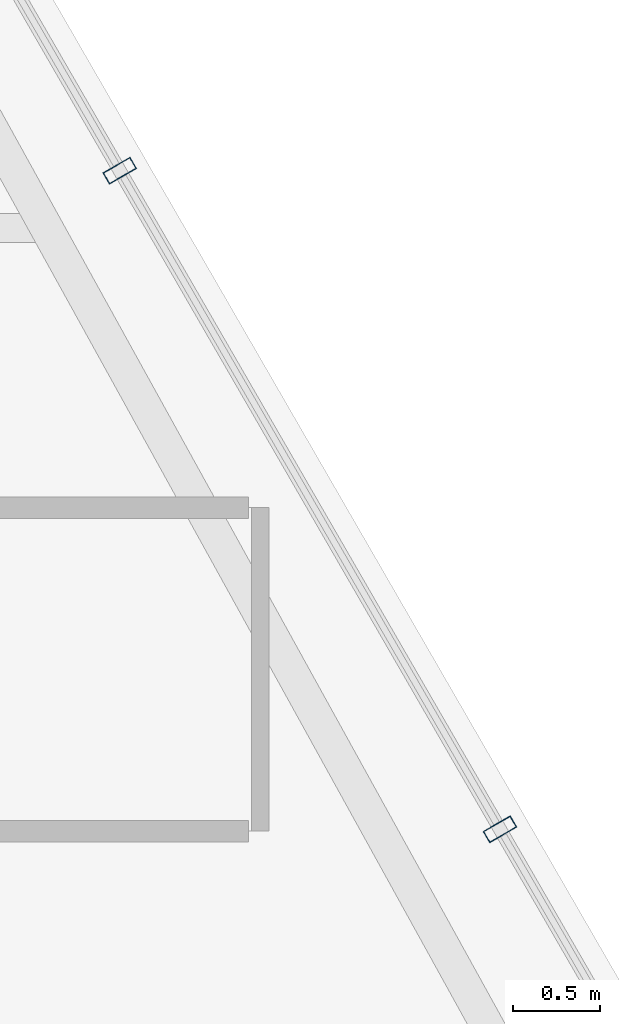
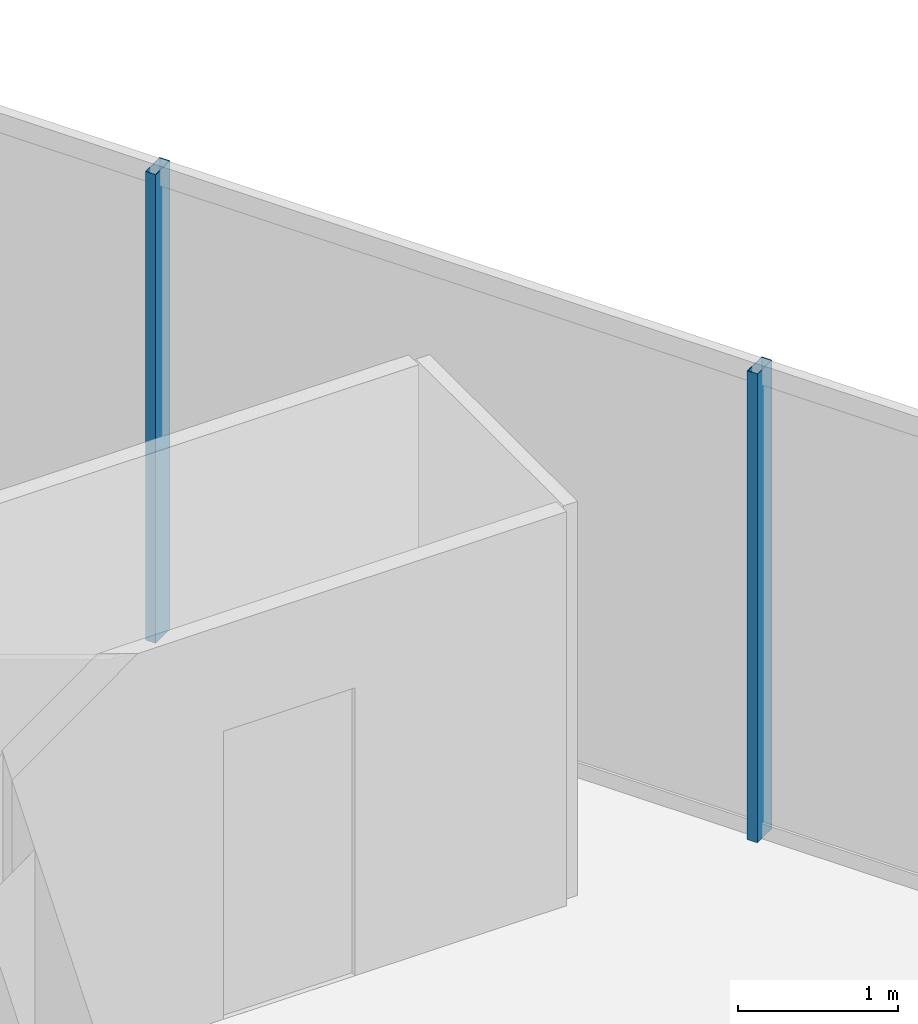
# One storey, part 15 of 29: 2 members, 1 element without a shape of its own.
"""IFC4 building model written with IfcOpenShell, lengths in metres."""

from ifc_helpers import new_model, si_unit, direction, frame, origin, origin_2d, place, context, subcontext, project, spatial, hollow_rectangle, extrude, material, layer, layer_set, material_profile, profile_set, type_object, element, aggregate, save


model = new_model("IFC4")

# Units and contexts
model_context = context("Model", 3, precision=1e-05, world=origin(), true_north=direction((0.0, 1.0)))
body_context = subcontext(model_context, "Body", "Model", "MODEL_VIEW")
ifc_project = project(units=[si_unit("LENGTHUNIT", "METRE"), si_unit("AREAUNIT", "SQUARE_METRE"), si_unit("VOLUMEUNIT", "CUBIC_METRE"), si_unit("PLANEANGLEUNIT", "RADIAN"), si_unit("MASSUNIT", "GRAM", prefix="KILO")], contexts=[model_context])

# Site, building, storey
site_placement = place(None, origin())
site = spatial("IfcSite", under=ifc_project, at=site_placement, CompositionType="ELEMENT")
building_placement = place(site_placement, origin())
building = spatial("IfcBuilding", under=site, at=building_placement, Name="Ndaravel Arena Tower", CompositionType="ELEMENT")
storey_placement = place(building_placement, frame((0.0, 0.0, 237.0)))
storey = spatial("IfcBuildingStorey", under=building, at=storey_placement, Name="L57", CompositionType="ELEMENT", Elevation=237.0)

# Curtain wall, members
ifc_material_1 = material(Name="Aluminium", Category="aluminium")
ifc_layer = layer(ifc_material_1, 0.179931640625)
ifc_layer_set = layer_set([ifc_layer], Name="Aluminium")
curtain_wall_type = type_object("IfcCurtainWallType", Name="CW-SYS-03", PredefinedType="NOTDEFINED", material=ifc_layer_set)
curtain_wall_placement = place(storey_placement, origin())
curtain_wall = element("IfcCurtainWall", 1, at=curtain_wall_placement, inside=storey, type_object=curtain_wall_type, Name="L57 Faceted Crystal Curtain Wall CW-L57-E03", PredefinedType="NOTDEFINED")
ifc_material_2 = material(Name="Aluminium", Category="aluminium")
ifc_material_profile = material_profile(ifc_material_2, hollow_rectangle(XDim=0.074951171875, YDim=0.179931640625, WallThickness=0.00390625, at=origin_2d()), Name="CW MULLION 75x180x4")
ifc_profile_set = profile_set([ifc_material_profile], Name="Aluminium")
member_type = type_object("IfcMemberType", Name="MEM-CW-MUL180", PredefinedType="MULLION", material=ifc_profile_set)
member_1_placement = place(storey_placement, frame((62.993896484375, 15.160888671875, 0.0), z_axis=(0.0, 0.0, 1.0), x_axis=(-0.5, 0.866025403784, 0.0)))
member_1 = element("IfcMember", 2, at=member_1_placement, type_object=member_type, Name="CW-L57-E03 Mullion 01", PredefinedType="MULLION", context=body_context, shape_type="SweptSolid", body=[
    extrude(hollow_rectangle(XDim=0.074951171875, YDim=0.179931640625, WallThickness=0.00390625, at=origin_2d()), origin(), (0.0, 0.0, 1.0), 3.580078125),
])
member_2_placement = place(storey_placement, frame((60.819580078125, 18.927001953125, 0.0), z_axis=(0.0, 0.0, 1.0), x_axis=(-0.5, 0.866025403784, 0.0)))
member_2 = element("IfcMember", 3, at=member_2_placement, type_object=member_type, Name="CW-L57-E03 Mullion 02", PredefinedType="MULLION", context=body_context, shape_type="SweptSolid", body=[
    extrude(hollow_rectangle(XDim=0.074951171875, YDim=0.179931640625, WallThickness=0.00390625, at=origin_2d()), origin(), (0.0, 0.0, 1.0), 3.580078125),
])
aggregate(curtain_wall, [member_1, member_2])

save(model, "model.ifc")
